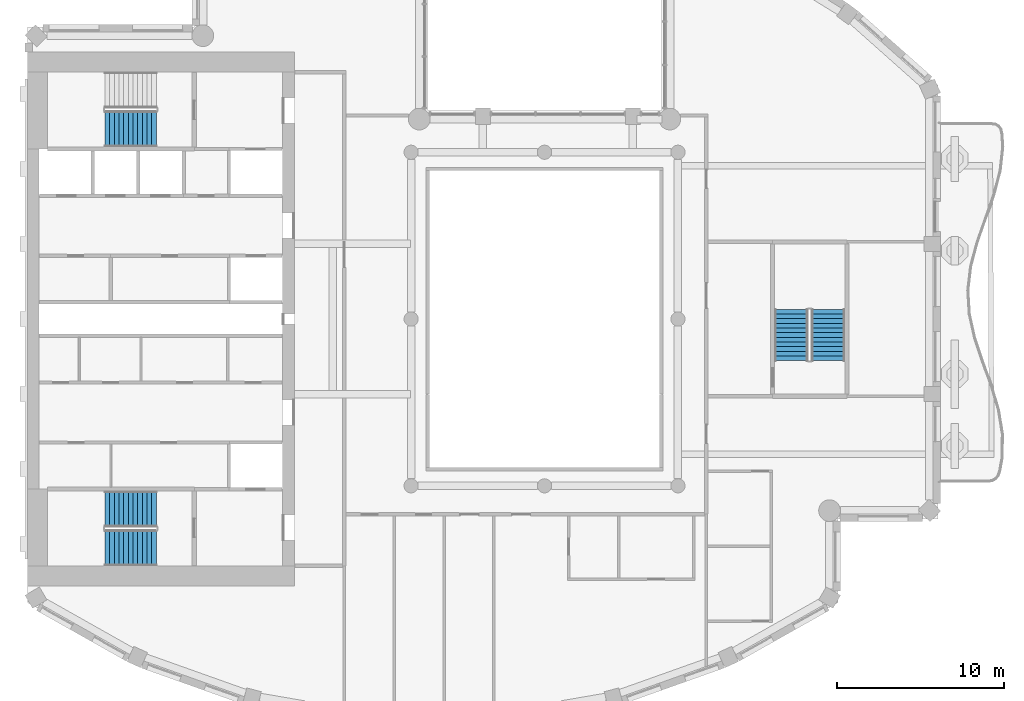
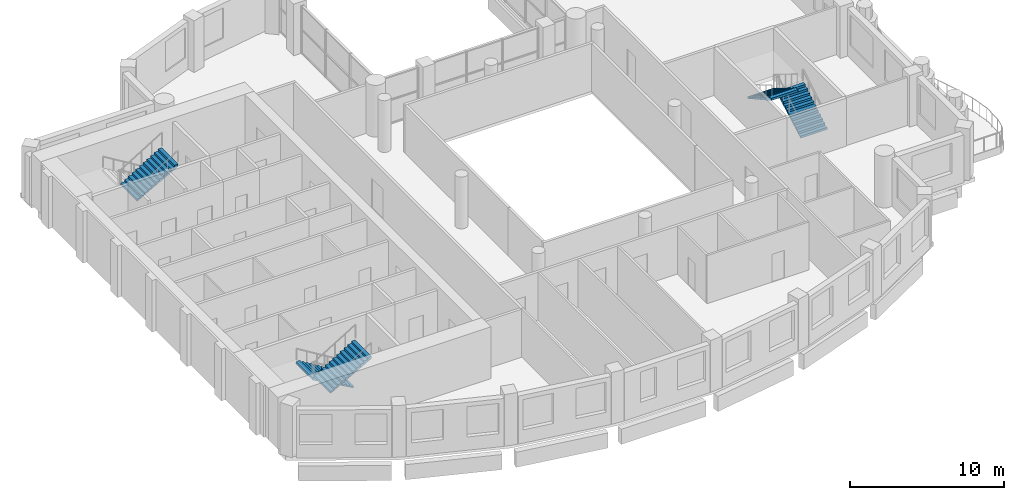
# One storey, part 8 of 14: 5 stair flights, 3 elements without a shape of their own.
"""IFC4 building model written with IfcOpenShell, lengths in metres."""

from ifc_helpers import new_model, si_unit, direction, frame, origin, place, context, subcontext, project, spatial, triangles, material, type_object, element, aggregate, save


model = new_model("IFC4")

# Units and contexts
model_context = context("Model", 3, precision=1e-05, world=origin(), true_north=direction((0.0, 1.0)))
body_context = subcontext(model_context, "Body", "Model", "MODEL_VIEW")
ifc_project = project(units=[si_unit("LENGTHUNIT", "METRE"), si_unit("AREAUNIT", "SQUARE_METRE"), si_unit("VOLUMEUNIT", "CUBIC_METRE"), si_unit("PLANEANGLEUNIT", "RADIAN"), si_unit("MASSUNIT", "GRAM", prefix="KILO")], contexts=[model_context])

# Site, building, storey
site_placement = place(None, origin())
site = spatial("IfcSite", under=ifc_project, at=site_placement, CompositionType="ELEMENT")
building_placement = place(site_placement, origin())
building = spatial("IfcBuilding", under=site, at=building_placement, Name="Cypress Arch Tower", CompositionType="ELEMENT")
storey_placement = place(building_placement, frame((0.0, 0.0, 268.0)))
storey = spatial("IfcBuildingStorey", under=building, at=storey_placement, Name="L60", CompositionType="ELEMENT", Elevation=268.0)

# Stair, stair flights
ifc_material_1 = material(Name="Concrete C40/50", Category="concrete")
stair_type_1 = type_object("IfcStairType", Name="Exit stair ES1708-200", PredefinedType="HALF_TURN_STAIR", material=ifc_material_1)
stair_1_placement = place(storey_placement, origin())
stair_1 = element("IfcStair", 1, at=stair_1_placement, inside=storey, type_object=stair_type_1, Name="L60 Exit stair C", PredefinedType="HALF_TURN_STAIR")
ifc_material_2 = material(Name="Concrete C40/50", Category="concrete")
stair_flight_type_1 = type_object("IfcStairFlightType", Name="Exit stair flight ES1708-200", PredefinedType="STRAIGHT", material=ifc_material_2)
stair_flight_1_placement = place(storey_placement, frame((18.0, -2.5, 0.0), z_axis=(0.0, 0.0, 1.0), x_axis=(0.0, 1.0, 0.0)))
stair_flight_1 = element("IfcStairFlight", 2, at=stair_flight_1_placement, type_object=stair_flight_type_1, Name="C flight 1", NumberOfRisers=12, NumberOfTreads=11, PredefinedType="STRAIGHT", RiserHeight=0.170833333, TreadLength=0.28, context=body_context, shape_type="Tessellation", body=[
    triangles([(0.0, -1.0, 0.0), (0.0, -1.0, 0.1708984375), (0.280029296875, -1.0, 0.1708984375), (0.280029296875, -1.0, 0.341552734375), (0.56005859375, -1.0, 0.341552734375), (0.56005859375, -1.0, 0.512451171875), (0.840087890625, -1.0, 0.512451171875), (0.840087890625, -1.0, 0.683349609375), (1.1201171875, -1.0, 0.683349609375), (1.1201171875, -1.0, 0.854248046875), (1.39990234375, -1.0, 0.854248046875), (1.39990234375, -1.0, 1.02490234375), (1.679931640625, -1.0, 1.02490234375), (1.679931640625, -1.0, 1.19580078125), (1.9599609375, -1.0, 1.19580078125), (1.9599609375, -1.0, 1.36669921875), (2.239990234375, -1.0, 1.36669921875), (2.239990234375, -1.0, 1.53759765625), (2.52001953125, -1.0, 1.53759765625), (2.52001953125, -1.0, 1.708251953125), (2.800048828125, -1.0, 1.708251953125), (2.800048828125, -1.0, 1.879150390625), (3.080078125, -1.0, 1.879150390625), (3.080078125, -1.0, 1.70361328125), (3.080078125, 1.0, 1.70361328125), (3.080078125, 1.0, 1.879150390625), (2.800048828125, 1.0, 1.879150390625), (2.800048828125, 1.0, 1.708251953125), (2.52001953125, 1.0, 1.708251953125), (2.52001953125, 1.0, 1.53759765625), (2.239990234375, 1.0, 1.53759765625), (2.239990234375, 1.0, 1.36669921875), (1.9599609375, 1.0, 1.36669921875), (1.9599609375, 1.0, 1.19580078125), (1.679931640625, 1.0, 1.19580078125), (1.679931640625, 1.0, 1.02490234375), (1.39990234375, 1.0, 1.02490234375), (1.39990234375, 1.0, 0.854248046875), (1.1201171875, 1.0, 0.854248046875), (1.1201171875, 1.0, 0.683349609375), (0.840087890625, 1.0, 0.683349609375), (0.840087890625, 1.0, 0.512451171875), (0.56005859375, 1.0, 0.512451171875), (0.56005859375, 1.0, 0.341552734375), (0.280029296875, 1.0, 0.341552734375), (0.280029296875, 1.0, 0.1708984375), (0.0, 1.0, 0.1708984375), (0.0, 1.0, 0.0), (3.080078125, 0.0, 1.879150390625), (3.080078125, 0.0, 1.70361328125), (2.800048828125, 0.0, 1.879150390625), (2.800048828125, 0.0, 1.708251953125), (2.52001953125, 0.0, 1.708251953125), (2.52001953125, 0.0, 1.53759765625), (2.239990234375, 0.0, 1.53759765625), (2.239990234375, 0.0, 1.36669921875), (1.9599609375, 0.0, 1.36669921875), (1.9599609375, 0.0, 1.19580078125), (1.679931640625, 0.0, 1.19580078125), (1.679931640625, 0.0, 1.02490234375), (1.39990234375, 0.0, 1.02490234375), (1.39990234375, 0.0, 0.854248046875), (1.1201171875, 0.0, 0.854248046875), (1.1201171875, 0.0, 0.683349609375), (0.840087890625, 0.0, 0.683349609375), (0.840087890625, 0.0, 0.512451171875), (0.56005859375, 0.0, 0.512451171875), (0.56005859375, 0.0, 0.341552734375), (0.280029296875, 0.0, 0.341552734375), (0.280029296875, 0.0, 0.1708984375), (0.0, 0.0, 0.1708984375), (0.0, 0.0, 0.0)], [[24, 23, 22], [11, 10, 9], [19, 18, 17], [17, 16, 15], [15, 14, 13], [9, 8, 7], [7, 6, 5], [3, 2, 1], [21, 20, 19], [13, 12, 11], [5, 4, 3], [24, 22, 21], [24, 21, 19], [24, 19, 17], [24, 17, 15], [24, 15, 13], [24, 13, 11], [24, 11, 9], [24, 9, 7], [24, 7, 5], [1, 24, 5], [5, 3, 1], [25, 27, 26], [38, 40, 39], [30, 32, 31], [32, 34, 33], [34, 36, 35], [40, 42, 41], [42, 44, 43], [46, 48, 47], [28, 30, 29], [36, 38, 37], [44, 46, 45], [25, 28, 27], [25, 30, 28], [25, 32, 30], [25, 34, 32], [25, 36, 34], [25, 38, 36], [25, 40, 38], [25, 42, 40], [25, 44, 42], [48, 44, 25], [44, 48, 46], [50, 49, 23], [50, 23, 24], [25, 26, 49], [25, 49, 50], [49, 51, 22], [49, 22, 23], [26, 27, 51], [26, 51, 49], [51, 52, 21], [51, 21, 22], [27, 28, 52], [27, 52, 51], [52, 53, 20], [52, 20, 21], [28, 29, 53], [28, 53, 52], [53, 54, 19], [53, 19, 20], [29, 30, 54], [29, 54, 53], [54, 55, 18], [54, 18, 19], [30, 31, 55], [30, 55, 54], [55, 56, 17], [55, 17, 18], [31, 32, 56], [31, 56, 55], [56, 57, 16], [56, 16, 17], [32, 33, 57], [32, 57, 56], [57, 58, 15], [57, 15, 16], [33, 34, 58], [33, 58, 57], [58, 59, 14], [58, 14, 15], [34, 35, 59], [34, 59, 58], [59, 60, 13], [59, 13, 14], [35, 36, 60], [35, 60, 59], [60, 61, 12], [60, 12, 13], [36, 37, 61], [36, 61, 60], [61, 62, 11], [61, 11, 12], [37, 38, 62], [37, 62, 61], [62, 63, 10], [62, 10, 11], [38, 39, 63], [38, 63, 62], [63, 64, 9], [63, 9, 10], [39, 40, 64], [39, 64, 63], [64, 65, 8], [64, 8, 9], [40, 41, 65], [40, 65, 64], [65, 66, 7], [65, 7, 8], [41, 42, 66], [41, 66, 65], [66, 67, 6], [66, 6, 7], [42, 43, 67], [42, 67, 66], [67, 68, 5], [67, 5, 6], [43, 44, 68], [43, 68, 67], [68, 69, 4], [68, 4, 5], [44, 45, 69], [44, 69, 68], [69, 70, 3], [69, 3, 4], [45, 46, 70], [45, 70, 69], [70, 71, 2], [70, 2, 3], [46, 47, 71], [46, 71, 70], [71, 72, 1], [71, 1, 2], [47, 48, 72], [47, 72, 71], [72, 50, 24], [72, 24, 1], [48, 25, 50], [48, 50, 72]], closed=True),
])
stair_flight_2_placement = place(storey_placement, frame((15.800048828125, 0.580078125, 2.050048828125), z_axis=(0.0, 0.0, 1.0), x_axis=(0.0, -1.0, 0.0)))
stair_flight_2 = element("IfcStairFlight", 3, at=stair_flight_2_placement, type_object=stair_flight_type_1, Name="C flight 2", NumberOfRisers=12, NumberOfTreads=11, PredefinedType="STRAIGHT", RiserHeight=0.170833333, TreadLength=0.28, context=body_context, shape_type="Tessellation", body=[
    triangles([(0.0, -1.0, 0.0), (0.0, -1.0, 0.1708984375), (0.280029296875, -1.0, 0.1708984375), (0.280029296875, -1.0, 0.341552734375), (0.56005859375, -1.0, 0.341552734375), (0.56005859375, -1.0, 0.512451171875), (0.840087890625, -1.0, 0.512451171875), (0.840087890625, -1.0, 0.683349609375), (1.1201171875, -1.0, 0.683349609375), (1.1201171875, -1.0, 0.854248046875), (1.39990234375, -1.0, 0.854248046875), (1.39990234375, -1.0, 1.02490234375), (1.679931640625, -1.0, 1.02490234375), (1.679931640625, -1.0, 1.19580078125), (1.9599609375, -1.0, 1.19580078125), (1.9599609375, -1.0, 1.36669921875), (2.239990234375, -1.0, 1.36669921875), (2.239990234375, -1.0, 1.53759765625), (2.52001953125, -1.0, 1.53759765625), (2.52001953125, -1.0, 1.708251953125), (2.800048828125, -1.0, 1.708251953125), (2.800048828125, -1.0, 1.879150390625), (3.080078125, -1.0, 1.879150390625), (3.080078125, -1.0, 1.70361328125), (3.080078125, 1.0, 1.70361328125), (3.080078125, 1.0, 1.879150390625), (2.800048828125, 1.0, 1.879150390625), (2.800048828125, 1.0, 1.708251953125), (2.52001953125, 1.0, 1.708251953125), (2.52001953125, 1.0, 1.53759765625), (2.239990234375, 1.0, 1.53759765625), (2.239990234375, 1.0, 1.36669921875), (1.9599609375, 1.0, 1.36669921875), (1.9599609375, 1.0, 1.19580078125), (1.679931640625, 1.0, 1.19580078125), (1.679931640625, 1.0, 1.02490234375), (1.39990234375, 1.0, 1.02490234375), (1.39990234375, 1.0, 0.854248046875), (1.1201171875, 1.0, 0.854248046875), (1.1201171875, 1.0, 0.683349609375), (0.840087890625, 1.0, 0.683349609375), (0.840087890625, 1.0, 0.512451171875), (0.56005859375, 1.0, 0.512451171875), (0.56005859375, 1.0, 0.341552734375), (0.280029296875, 1.0, 0.341552734375), (0.280029296875, 1.0, 0.1708984375), (0.0, 1.0, 0.1708984375), (0.0, 1.0, 0.0), (3.080078125, 0.0, 1.879150390625), (3.080078125, 0.0, 1.70361328125), (2.800048828125, 0.0, 1.879150390625), (2.800048828125, 0.0, 1.708251953125), (2.52001953125, 0.0, 1.708251953125), (2.52001953125, 0.0, 1.53759765625), (2.239990234375, 0.0, 1.53759765625), (2.239990234375, 0.0, 1.36669921875), (1.9599609375, 0.0, 1.36669921875), (1.9599609375, 0.0, 1.19580078125), (1.679931640625, 0.0, 1.19580078125), (1.679931640625, 0.0, 1.02490234375), (1.39990234375, 0.0, 1.02490234375), (1.39990234375, 0.0, 0.854248046875), (1.1201171875, 0.0, 0.854248046875), (1.1201171875, 0.0, 0.683349609375), (0.840087890625, 0.0, 0.683349609375), (0.840087890625, 0.0, 0.512451171875), (0.56005859375, 0.0, 0.512451171875), (0.56005859375, 0.0, 0.341552734375), (0.280029296875, 0.0, 0.341552734375), (0.280029296875, 0.0, 0.1708984375), (0.0, 0.0, 0.1708984375), (0.0, 0.0, 0.0)], [[24, 23, 22], [11, 10, 9], [19, 18, 17], [17, 16, 15], [15, 14, 13], [9, 8, 7], [7, 6, 5], [3, 2, 1], [21, 20, 19], [13, 12, 11], [5, 4, 3], [24, 22, 21], [24, 21, 19], [24, 19, 17], [24, 17, 15], [24, 15, 13], [24, 13, 11], [24, 11, 9], [24, 9, 7], [24, 7, 5], [1, 24, 5], [5, 3, 1], [25, 27, 26], [38, 40, 39], [30, 32, 31], [32, 34, 33], [34, 36, 35], [40, 42, 41], [42, 44, 43], [46, 48, 47], [28, 30, 29], [36, 38, 37], [44, 46, 45], [25, 28, 27], [25, 30, 28], [25, 32, 30], [25, 34, 32], [25, 36, 34], [25, 38, 36], [25, 40, 38], [25, 42, 40], [25, 44, 42], [48, 44, 25], [44, 48, 46], [50, 49, 23], [50, 23, 24], [25, 26, 49], [25, 49, 50], [49, 51, 22], [49, 22, 23], [26, 27, 51], [26, 51, 49], [51, 52, 21], [51, 21, 22], [27, 28, 52], [27, 52, 51], [52, 53, 20], [52, 20, 21], [28, 29, 53], [28, 53, 52], [53, 54, 19], [53, 19, 20], [29, 30, 54], [29, 54, 53], [54, 55, 18], [54, 18, 19], [30, 31, 55], [30, 55, 54], [55, 56, 17], [55, 17, 18], [31, 32, 56], [31, 56, 55], [56, 57, 16], [56, 16, 17], [32, 33, 57], [32, 57, 56], [57, 58, 15], [57, 15, 16], [33, 34, 58], [33, 58, 57], [58, 59, 14], [58, 14, 15], [34, 35, 59], [34, 59, 58], [59, 60, 13], [59, 13, 14], [35, 36, 60], [35, 60, 59], [60, 61, 12], [60, 12, 13], [36, 37, 61], [36, 61, 60], [61, 62, 11], [61, 11, 12], [37, 38, 62], [37, 62, 61], [62, 63, 10], [62, 10, 11], [38, 39, 63], [38, 63, 62], [63, 64, 9], [63, 9, 10], [39, 40, 64], [39, 64, 63], [64, 65, 8], [64, 8, 9], [40, 41, 65], [40, 65, 64], [65, 66, 7], [65, 7, 8], [41, 42, 66], [41, 66, 65], [66, 67, 6], [66, 6, 7], [42, 43, 67], [42, 67, 66], [67, 68, 5], [67, 5, 6], [43, 44, 68], [43, 68, 67], [68, 69, 4], [68, 4, 5], [44, 45, 69], [44, 69, 68], [69, 70, 3], [69, 3, 4], [45, 46, 70], [45, 70, 69], [70, 71, 2], [70, 2, 3], [46, 47, 71], [46, 71, 70], [71, 72, 1], [71, 1, 2], [47, 48, 72], [47, 72, 71], [72, 50, 24], [72, 24, 1], [48, 25, 50], [48, 50, 72]], closed=True),
])
aggregate(stair_1, [stair_flight_1, stair_flight_2])

ifc_material_3 = material(Name="Concrete C40/50", Category="concrete")
stair_type_2 = type_object("IfcStairType", Name="Exit stair ES1708-215", PredefinedType="HALF_TURN_STAIR", material=ifc_material_3)
stair_2_placement = place(storey_placement, origin())
stair_2 = element("IfcStair", 4, at=stair_2_placement, inside=storey, type_object=stair_type_2, Name="L60 Exit stair A", PredefinedType="HALF_TURN_STAIR")
ifc_material_4 = material(Name="Concrete C40/50", Category="concrete")
stair_flight_type_2 = type_object("IfcStairFlightType", Name="Exit stair flight ES1708-215", PredefinedType="STRAIGHT", material=ifc_material_4)
stair_flight_3_placement = place(storey_placement, frame((-22.27490234375, -11.39990234375, 0.0), z_axis=(0.0, 0.0, 1.0), x_axis=(-1.0, 0.0, 0.0)))
stair_flight_3 = element("IfcStairFlight", 5, at=stair_flight_3_placement, type_object=stair_flight_type_2, Name="A flight 1", NumberOfRisers=12, NumberOfTreads=11, PredefinedType="STRAIGHT", RiserHeight=0.170833333, TreadLength=0.28, context=body_context, shape_type="Tessellation", body=[
    triangles([(0.0, -1.074951171875, 0.0), (0.000244140625, -1.074951171875, 0.01904296875), (0.000244140625, -1.074951171875, 0.0380859375), (0.00048828125, -1.074951171875, 0.056884765625), (0.00048828125, -1.074951171875, 0.075927734375), (0.00048828125, -1.074951171875, 0.094970703125), (0.00048828125, -1.074951171875, 0.114013671875), (0.000244140625, -1.074951171875, 0.1328125), (0.000244140625, -1.074951171875, 0.15185546875), (0.0, -1.074951171875, 0.1708984375), (0.280029296875, -1.074951171875, 0.1708984375), (0.280029296875, -1.074951171875, 0.341552734375), (0.56005859375, -1.074951171875, 0.341552734375), (0.56005859375, -1.074951171875, 0.512451171875), (0.840087890625, -1.074951171875, 0.512451171875), (0.840087890625, -1.074951171875, 0.683349609375), (1.1201171875, -1.074951171875, 0.683349609375), (1.1201171875, -1.074951171875, 0.854248046875), (1.39990234375, -1.074951171875, 0.854248046875), (1.39990234375, -1.074951171875, 1.02490234375), (1.679931640625, -1.074951171875, 1.02490234375), (1.679931640625, -1.074951171875, 1.19580078125), (1.9599609375, -1.074951171875, 1.19580078125), (1.9599609375, -1.074951171875, 1.36669921875), (2.239990234375, -1.074951171875, 1.36669921875), (2.239990234375, -1.074951171875, 1.53759765625), (2.52001953125, -1.074951171875, 1.53759765625), (2.52001953125, -1.074951171875, 1.708251953125), (2.800048828125, -1.074951171875, 1.708251953125), (2.800048828125, -1.074951171875, 1.879150390625), (3.080078125, -1.074951171875, 1.879150390625), (3.079833984375, -1.074951171875, 1.859619140625), (3.079833984375, -1.074951171875, 1.840087890625), (3.07958984375, -1.074951171875, 1.820556640625), (3.07958984375, -1.074951171875, 1.801025390625), (3.07958984375, -1.074951171875, 1.78173828125), (3.07958984375, -1.074951171875, 1.76220703125), (3.079833984375, -1.074951171875, 1.74267578125), (3.079833984375, -1.074951171875, 1.72314453125), (3.080078125, -1.074951171875, 1.70361328125), (3.080078125, 1.074951171875, 1.70361328125), (3.079833984375, 1.074951171875, 1.72314453125), (3.079833984375, 1.074951171875, 1.74267578125), (3.07958984375, 1.074951171875, 1.76220703125), (3.07958984375, 1.074951171875, 1.78173828125), (3.07958984375, 1.074951171875, 1.801025390625), (3.07958984375, 1.074951171875, 1.820556640625), (3.079833984375, 1.074951171875, 1.840087890625), (3.079833984375, 1.074951171875, 1.859619140625), (3.080078125, 1.074951171875, 1.879150390625), (2.800048828125, 1.074951171875, 1.879150390625), (2.800048828125, 1.074951171875, 1.708251953125), (2.52001953125, 1.074951171875, 1.708251953125), (2.52001953125, 1.074951171875, 1.53759765625), (2.239990234375, 1.074951171875, 1.53759765625), (2.239990234375, 1.074951171875, 1.36669921875), (1.9599609375, 1.074951171875, 1.36669921875), (1.9599609375, 1.074951171875, 1.19580078125), (1.679931640625, 1.074951171875, 1.19580078125), (1.679931640625, 1.074951171875, 1.02490234375), (1.39990234375, 1.074951171875, 1.02490234375), (1.39990234375, 1.074951171875, 0.854248046875), (1.1201171875, 1.074951171875, 0.854248046875), (1.1201171875, 1.074951171875, 0.683349609375), (0.840087890625, 1.074951171875, 0.683349609375), (0.840087890625, 1.074951171875, 0.512451171875), (0.56005859375, 1.074951171875, 0.512451171875), (0.56005859375, 1.074951171875, 0.341552734375), (0.280029296875, 1.074951171875, 0.341552734375), (0.280029296875, 1.074951171875, 0.1708984375), (0.0, 1.074951171875, 0.1708984375), (0.000244140625, 1.074951171875, 0.15185546875), (0.000244140625, 1.074951171875, 0.1328125), (0.00048828125, 1.074951171875, 0.114013671875), (0.00048828125, 1.074951171875, 0.094970703125), (0.00048828125, 1.074951171875, 0.075927734375), (0.00048828125, 1.074951171875, 0.056884765625), (0.000244140625, 1.074951171875, 0.0380859375), (0.000244140625, 1.074951171875, 0.01904296875), (0.0, 1.074951171875, 0.0)], [[40, 39, 30], [39, 38, 30], [38, 37, 30], [37, 36, 30], [36, 35, 30], [35, 34, 30], [34, 33, 30], [33, 32, 30], [32, 31, 30], [19, 18, 17], [27, 26, 25], [25, 24, 23], [23, 22, 21], [17, 16, 15], [15, 14, 13], [10, 9, 11], [9, 8, 11], [8, 7, 11], [7, 6, 11], [6, 5, 11], [5, 4, 11], [4, 3, 11], [3, 2, 11], [2, 1, 11], [29, 28, 27], [21, 20, 19], [13, 12, 11], [40, 30, 29], [40, 29, 27], [40, 27, 25], [40, 25, 23], [40, 23, 21], [40, 21, 19], [40, 19, 17], [40, 17, 15], [40, 15, 13], [1, 40, 13], [13, 11, 1], [41, 51, 42], [42, 51, 43], [43, 51, 44], [44, 51, 45], [45, 51, 46], [46, 51, 47], [47, 51, 48], [48, 51, 49], [49, 51, 50], [62, 64, 63], [54, 56, 55], [56, 58, 57], [58, 60, 59], [64, 66, 65], [66, 68, 67], [71, 70, 72], [72, 70, 73], [73, 70, 74], [74, 70, 75], [75, 70, 76], [76, 70, 77], [77, 70, 78], [78, 70, 79], [79, 70, 80], [52, 54, 53], [60, 62, 61], [68, 70, 69], [41, 52, 51], [41, 54, 52], [41, 56, 54], [41, 58, 56], [41, 60, 58], [41, 62, 60], [41, 64, 62], [41, 66, 64], [41, 68, 66], [80, 68, 41], [68, 80, 70], [41, 42, 39], [41, 39, 40], [42, 43, 38], [42, 38, 39], [43, 44, 37], [43, 37, 38], [44, 45, 36], [44, 36, 37], [45, 46, 35], [45, 35, 36], [46, 47, 34], [46, 34, 35], [47, 48, 33], [47, 33, 34], [48, 49, 32], [48, 32, 33], [49, 50, 31], [49, 31, 32], [50, 51, 30], [50, 30, 31], [51, 52, 29], [51, 29, 30], [52, 53, 28], [52, 28, 29], [53, 54, 27], [53, 27, 28], [54, 55, 26], [54, 26, 27], [55, 56, 25], [55, 25, 26], [56, 57, 24], [56, 24, 25], [57, 58, 23], [57, 23, 24], [58, 59, 22], [58, 22, 23], [59, 60, 21], [59, 21, 22], [60, 61, 20], [60, 20, 21], [61, 62, 19], [61, 19, 20], [62, 63, 18], [62, 18, 19], [63, 64, 17], [63, 17, 18], [64, 65, 16], [64, 16, 17], [65, 66, 15], [65, 15, 16], [66, 67, 14], [66, 14, 15], [67, 68, 13], [67, 13, 14], [68, 69, 12], [68, 12, 13], [69, 70, 11], [69, 11, 12], [70, 71, 10], [70, 10, 11], [71, 72, 9], [71, 9, 10], [72, 73, 8], [72, 8, 9], [73, 74, 7], [73, 7, 8], [74, 75, 6], [74, 6, 7], [75, 76, 5], [75, 5, 6], [76, 77, 4], [76, 4, 5], [77, 78, 3], [77, 3, 4], [78, 79, 2], [78, 2, 3], [79, 80, 1], [79, 1, 2], [80, 41, 40], [80, 40, 1]], closed=True),
])
stair_flight_4_placement = place(storey_placement, frame((-25.35498046875, -13.72509765625, 2.050048828125), z_axis=(0.0, 0.0, 1.0), x_axis=(1.0, 0.0, 0.0)))
stair_flight_4 = element("IfcStairFlight", 6, at=stair_flight_4_placement, type_object=stair_flight_type_2, Name="A flight 2", NumberOfRisers=12, NumberOfTreads=11, PredefinedType="STRAIGHT", RiserHeight=0.170833333, TreadLength=0.28, context=body_context, shape_type="Tessellation", body=[
    triangles([(0.0, -1.074951171875, 0.0), (0.000244140625, -1.074951171875, 0.01904296875), (0.000244140625, -1.074951171875, 0.0380859375), (0.00048828125, -1.074951171875, 0.056884765625), (0.00048828125, -1.074951171875, 0.075927734375), (0.00048828125, -1.074951171875, 0.094970703125), (0.00048828125, -1.074951171875, 0.114013671875), (0.000244140625, -1.074951171875, 0.1328125), (0.000244140625, -1.074951171875, 0.15185546875), (0.0, -1.074951171875, 0.1708984375), (0.280029296875, -1.074951171875, 0.1708984375), (0.280029296875, -1.074951171875, 0.341552734375), (0.56005859375, -1.074951171875, 0.341552734375), (0.56005859375, -1.074951171875, 0.512451171875), (0.840087890625, -1.074951171875, 0.512451171875), (0.840087890625, -1.074951171875, 0.683349609375), (1.1201171875, -1.074951171875, 0.683349609375), (1.1201171875, -1.074951171875, 0.854248046875), (1.39990234375, -1.074951171875, 0.854248046875), (1.39990234375, -1.074951171875, 1.02490234375), (1.679931640625, -1.074951171875, 1.02490234375), (1.679931640625, -1.074951171875, 1.19580078125), (1.9599609375, -1.074951171875, 1.19580078125), (1.9599609375, -1.074951171875, 1.36669921875), (2.239990234375, -1.074951171875, 1.36669921875), (2.239990234375, -1.074951171875, 1.53759765625), (2.52001953125, -1.074951171875, 1.53759765625), (2.52001953125, -1.074951171875, 1.708251953125), (2.800048828125, -1.074951171875, 1.708251953125), (2.800048828125, -1.074951171875, 1.879150390625), (3.080078125, -1.074951171875, 1.879150390625), (3.079833984375, -1.074951171875, 1.859619140625), (3.079833984375, -1.074951171875, 1.840087890625), (3.07958984375, -1.074951171875, 1.820556640625), (3.07958984375, -1.074951171875, 1.801025390625), (3.07958984375, -1.074951171875, 1.78173828125), (3.07958984375, -1.074951171875, 1.76220703125), (3.079833984375, -1.074951171875, 1.74267578125), (3.079833984375, -1.074951171875, 1.72314453125), (3.080078125, -1.074951171875, 1.70361328125), (3.080078125, 1.074951171875, 1.70361328125), (3.079833984375, 1.074951171875, 1.72314453125), (3.079833984375, 1.074951171875, 1.74267578125), (3.07958984375, 1.074951171875, 1.76220703125), (3.07958984375, 1.074951171875, 1.78173828125), (3.07958984375, 1.074951171875, 1.801025390625), (3.07958984375, 1.074951171875, 1.820556640625), (3.079833984375, 1.074951171875, 1.840087890625), (3.079833984375, 1.074951171875, 1.859619140625), (3.080078125, 1.074951171875, 1.879150390625), (2.800048828125, 1.074951171875, 1.879150390625), (2.800048828125, 1.074951171875, 1.708251953125), (2.52001953125, 1.074951171875, 1.708251953125), (2.52001953125, 1.074951171875, 1.53759765625), (2.239990234375, 1.074951171875, 1.53759765625), (2.239990234375, 1.074951171875, 1.36669921875), (1.9599609375, 1.074951171875, 1.36669921875), (1.9599609375, 1.074951171875, 1.19580078125), (1.679931640625, 1.074951171875, 1.19580078125), (1.679931640625, 1.074951171875, 1.02490234375), (1.39990234375, 1.074951171875, 1.02490234375), (1.39990234375, 1.074951171875, 0.854248046875), (1.1201171875, 1.074951171875, 0.854248046875), (1.1201171875, 1.074951171875, 0.683349609375), (0.840087890625, 1.074951171875, 0.683349609375), (0.840087890625, 1.074951171875, 0.512451171875), (0.56005859375, 1.074951171875, 0.512451171875), (0.56005859375, 1.074951171875, 0.341552734375), (0.280029296875, 1.074951171875, 0.341552734375), (0.280029296875, 1.074951171875, 0.1708984375), (0.0, 1.074951171875, 0.1708984375), (0.000244140625, 1.074951171875, 0.15185546875), (0.000244140625, 1.074951171875, 0.1328125), (0.00048828125, 1.074951171875, 0.114013671875), (0.00048828125, 1.074951171875, 0.094970703125), (0.00048828125, 1.074951171875, 0.075927734375), (0.00048828125, 1.074951171875, 0.056884765625), (0.000244140625, 1.074951171875, 0.0380859375), (0.000244140625, 1.074951171875, 0.01904296875), (0.0, 1.074951171875, 0.0)], [[40, 39, 30], [39, 38, 30], [38, 37, 30], [37, 36, 30], [36, 35, 30], [35, 34, 30], [34, 33, 30], [33, 32, 30], [32, 31, 30], [19, 18, 17], [27, 26, 25], [25, 24, 23], [23, 22, 21], [17, 16, 15], [15, 14, 13], [10, 9, 11], [9, 8, 11], [8, 7, 11], [7, 6, 11], [6, 5, 11], [5, 4, 11], [4, 3, 11], [3, 2, 11], [2, 1, 11], [29, 28, 27], [21, 20, 19], [13, 12, 11], [40, 30, 29], [40, 29, 27], [40, 27, 25], [40, 25, 23], [40, 23, 21], [40, 21, 19], [40, 19, 17], [40, 17, 15], [40, 15, 13], [1, 40, 13], [13, 11, 1], [41, 51, 42], [42, 51, 43], [43, 51, 44], [44, 51, 45], [45, 51, 46], [46, 51, 47], [47, 51, 48], [48, 51, 49], [49, 51, 50], [62, 64, 63], [54, 56, 55], [56, 58, 57], [58, 60, 59], [64, 66, 65], [66, 68, 67], [71, 70, 72], [72, 70, 73], [73, 70, 74], [74, 70, 75], [75, 70, 76], [76, 70, 77], [77, 70, 78], [78, 70, 79], [79, 70, 80], [52, 54, 53], [60, 62, 61], [68, 70, 69], [41, 52, 51], [41, 54, 52], [41, 56, 54], [41, 58, 56], [41, 60, 58], [41, 62, 60], [41, 64, 62], [41, 66, 64], [41, 68, 66], [80, 68, 41], [68, 80, 70], [41, 42, 39], [41, 39, 40], [42, 43, 38], [42, 38, 39], [43, 44, 37], [43, 37, 38], [44, 45, 36], [44, 36, 37], [45, 46, 35], [45, 35, 36], [46, 47, 34], [46, 34, 35], [47, 48, 33], [47, 33, 34], [48, 49, 32], [48, 32, 33], [49, 50, 31], [49, 31, 32], [50, 51, 30], [50, 30, 31], [51, 52, 29], [51, 29, 30], [52, 53, 28], [52, 28, 29], [53, 54, 27], [53, 27, 28], [54, 55, 26], [54, 26, 27], [55, 56, 25], [55, 25, 26], [56, 57, 24], [56, 24, 25], [57, 58, 23], [57, 23, 24], [58, 59, 22], [58, 22, 23], [59, 60, 21], [59, 21, 22], [60, 61, 20], [60, 20, 21], [61, 62, 19], [61, 19, 20], [62, 63, 18], [62, 18, 19], [63, 64, 17], [63, 17, 18], [64, 65, 16], [64, 16, 17], [65, 66, 15], [65, 15, 16], [66, 67, 14], [66, 14, 15], [67, 68, 13], [67, 13, 14], [68, 69, 12], [68, 12, 13], [69, 70, 11], [69, 11, 12], [70, 71, 10], [70, 10, 11], [71, 72, 9], [71, 9, 10], [72, 73, 8], [72, 8, 9], [73, 74, 7], [73, 7, 8], [74, 75, 6], [74, 6, 7], [75, 76, 5], [75, 5, 6], [76, 77, 4], [76, 4, 5], [77, 78, 3], [77, 3, 4], [78, 79, 2], [78, 2, 3], [79, 80, 1], [79, 1, 2], [80, 41, 40], [80, 40, 1]], closed=True),
])
aggregate(stair_2, [stair_flight_3, stair_flight_4])

# Stair, stair flight
stair_3_placement = place(storey_placement, origin())
stair_3 = element("IfcStair", 7, at=stair_3_placement, inside=storey, type_object=stair_type_2, Name="L60 Exit stair B", PredefinedType="HALF_TURN_STAIR")
stair_flight_5_placement = place(storey_placement, frame((-25.35498046875, 11.39990234375, 2.050048828125), z_axis=(0.0, 0.0, 1.0), x_axis=(1.0, 0.0, 0.0)))
stair_flight_5 = element("IfcStairFlight", 8, at=stair_flight_5_placement, type_object=stair_flight_type_2, Name="B flight 2", NumberOfRisers=12, NumberOfTreads=11, PredefinedType="STRAIGHT", RiserHeight=0.170833333, TreadLength=0.28, context=body_context, shape_type="Tessellation", body=[
    triangles([(0.0, -1.074951171875, 0.0), (0.000244140625, -1.074951171875, 0.01904296875), (0.000244140625, -1.074951171875, 0.0380859375), (0.00048828125, -1.074951171875, 0.056884765625), (0.00048828125, -1.074951171875, 0.075927734375), (0.00048828125, -1.074951171875, 0.094970703125), (0.00048828125, -1.074951171875, 0.114013671875), (0.000244140625, -1.074951171875, 0.1328125), (0.000244140625, -1.074951171875, 0.15185546875), (0.0, -1.074951171875, 0.1708984375), (0.280029296875, -1.074951171875, 0.1708984375), (0.280029296875, -1.074951171875, 0.341552734375), (0.56005859375, -1.074951171875, 0.341552734375), (0.56005859375, -1.074951171875, 0.512451171875), (0.840087890625, -1.074951171875, 0.512451171875), (0.840087890625, -1.074951171875, 0.683349609375), (1.1201171875, -1.074951171875, 0.683349609375), (1.1201171875, -1.074951171875, 0.854248046875), (1.39990234375, -1.074951171875, 0.854248046875), (1.39990234375, -1.074951171875, 1.02490234375), (1.679931640625, -1.074951171875, 1.02490234375), (1.679931640625, -1.074951171875, 1.19580078125), (1.9599609375, -1.074951171875, 1.19580078125), (1.9599609375, -1.074951171875, 1.36669921875), (2.239990234375, -1.074951171875, 1.36669921875), (2.239990234375, -1.074951171875, 1.53759765625), (2.52001953125, -1.074951171875, 1.53759765625), (2.52001953125, -1.074951171875, 1.708251953125), (2.800048828125, -1.074951171875, 1.708251953125), (2.800048828125, -1.074951171875, 1.879150390625), (3.080078125, -1.074951171875, 1.879150390625), (3.079833984375, -1.074951171875, 1.859619140625), (3.079833984375, -1.074951171875, 1.840087890625), (3.07958984375, -1.074951171875, 1.820556640625), (3.07958984375, -1.074951171875, 1.801025390625), (3.07958984375, -1.074951171875, 1.78173828125), (3.07958984375, -1.074951171875, 1.76220703125), (3.079833984375, -1.074951171875, 1.74267578125), (3.079833984375, -1.074951171875, 1.72314453125), (3.080078125, -1.074951171875, 1.70361328125), (3.080078125, 1.074951171875, 1.70361328125), (3.079833984375, 1.074951171875, 1.72314453125), (3.079833984375, 1.074951171875, 1.74267578125), (3.07958984375, 1.074951171875, 1.76220703125), (3.07958984375, 1.074951171875, 1.78173828125), (3.07958984375, 1.074951171875, 1.801025390625), (3.07958984375, 1.074951171875, 1.820556640625), (3.079833984375, 1.074951171875, 1.840087890625), (3.079833984375, 1.074951171875, 1.859619140625), (3.080078125, 1.074951171875, 1.879150390625), (2.800048828125, 1.074951171875, 1.879150390625), (2.800048828125, 1.074951171875, 1.708251953125), (2.52001953125, 1.074951171875, 1.708251953125), (2.52001953125, 1.074951171875, 1.53759765625), (2.239990234375, 1.074951171875, 1.53759765625), (2.239990234375, 1.074951171875, 1.36669921875), (1.9599609375, 1.074951171875, 1.36669921875), (1.9599609375, 1.074951171875, 1.19580078125), (1.679931640625, 1.074951171875, 1.19580078125), (1.679931640625, 1.074951171875, 1.02490234375), (1.39990234375, 1.074951171875, 1.02490234375), (1.39990234375, 1.074951171875, 0.854248046875), (1.1201171875, 1.074951171875, 0.854248046875), (1.1201171875, 1.074951171875, 0.683349609375), (0.840087890625, 1.074951171875, 0.683349609375), (0.840087890625, 1.074951171875, 0.512451171875), (0.56005859375, 1.074951171875, 0.512451171875), (0.56005859375, 1.074951171875, 0.341552734375), (0.280029296875, 1.074951171875, 0.341552734375), (0.280029296875, 1.074951171875, 0.1708984375), (0.0, 1.074951171875, 0.1708984375), (0.000244140625, 1.074951171875, 0.15185546875), (0.000244140625, 1.074951171875, 0.1328125), (0.00048828125, 1.074951171875, 0.114013671875), (0.00048828125, 1.074951171875, 0.094970703125), (0.00048828125, 1.074951171875, 0.075927734375), (0.00048828125, 1.074951171875, 0.056884765625), (0.000244140625, 1.074951171875, 0.0380859375), (0.000244140625, 1.074951171875, 0.01904296875), (0.0, 1.074951171875, 0.0)], [[40, 39, 30], [39, 38, 30], [38, 37, 30], [37, 36, 30], [36, 35, 30], [35, 34, 30], [34, 33, 30], [33, 32, 30], [32, 31, 30], [19, 18, 17], [27, 26, 25], [25, 24, 23], [23, 22, 21], [17, 16, 15], [15, 14, 13], [10, 9, 11], [9, 8, 11], [8, 7, 11], [7, 6, 11], [6, 5, 11], [5, 4, 11], [4, 3, 11], [3, 2, 11], [2, 1, 11], [29, 28, 27], [21, 20, 19], [13, 12, 11], [40, 30, 29], [40, 29, 27], [40, 27, 25], [40, 25, 23], [40, 23, 21], [40, 21, 19], [40, 19, 17], [40, 17, 15], [40, 15, 13], [1, 40, 13], [13, 11, 1], [41, 51, 42], [42, 51, 43], [43, 51, 44], [44, 51, 45], [45, 51, 46], [46, 51, 47], [47, 51, 48], [48, 51, 49], [49, 51, 50], [62, 64, 63], [54, 56, 55], [56, 58, 57], [58, 60, 59], [64, 66, 65], [66, 68, 67], [71, 70, 72], [72, 70, 73], [73, 70, 74], [74, 70, 75], [75, 70, 76], [76, 70, 77], [77, 70, 78], [78, 70, 79], [79, 70, 80], [52, 54, 53], [60, 62, 61], [68, 70, 69], [41, 52, 51], [41, 54, 52], [41, 56, 54], [41, 58, 56], [41, 60, 58], [41, 62, 60], [41, 64, 62], [41, 66, 64], [41, 68, 66], [80, 68, 41], [68, 80, 70], [41, 42, 39], [41, 39, 40], [42, 43, 38], [42, 38, 39], [43, 44, 37], [43, 37, 38], [44, 45, 36], [44, 36, 37], [45, 46, 35], [45, 35, 36], [46, 47, 34], [46, 34, 35], [47, 48, 33], [47, 33, 34], [48, 49, 32], [48, 32, 33], [49, 50, 31], [49, 31, 32], [50, 51, 30], [50, 30, 31], [51, 52, 29], [51, 29, 30], [52, 53, 28], [52, 28, 29], [53, 54, 27], [53, 27, 28], [54, 55, 26], [54, 26, 27], [55, 56, 25], [55, 25, 26], [56, 57, 24], [56, 24, 25], [57, 58, 23], [57, 23, 24], [58, 59, 22], [58, 22, 23], [59, 60, 21], [59, 21, 22], [60, 61, 20], [60, 20, 21], [61, 62, 19], [61, 19, 20], [62, 63, 18], [62, 18, 19], [63, 64, 17], [63, 17, 18], [64, 65, 16], [64, 16, 17], [65, 66, 15], [65, 15, 16], [66, 67, 14], [66, 14, 15], [67, 68, 13], [67, 13, 14], [68, 69, 12], [68, 12, 13], [69, 70, 11], [69, 11, 12], [70, 71, 10], [70, 10, 11], [71, 72, 9], [71, 9, 10], [72, 73, 8], [72, 8, 9], [73, 74, 7], [73, 7, 8], [74, 75, 6], [74, 6, 7], [75, 76, 5], [75, 5, 6], [76, 77, 4], [76, 4, 5], [77, 78, 3], [77, 3, 4], [78, 79, 2], [78, 2, 3], [79, 80, 1], [79, 1, 2], [80, 41, 40], [80, 40, 1]], closed=True),
])
aggregate(stair_3, [stair_flight_5])

save(model, "model.ifc")
